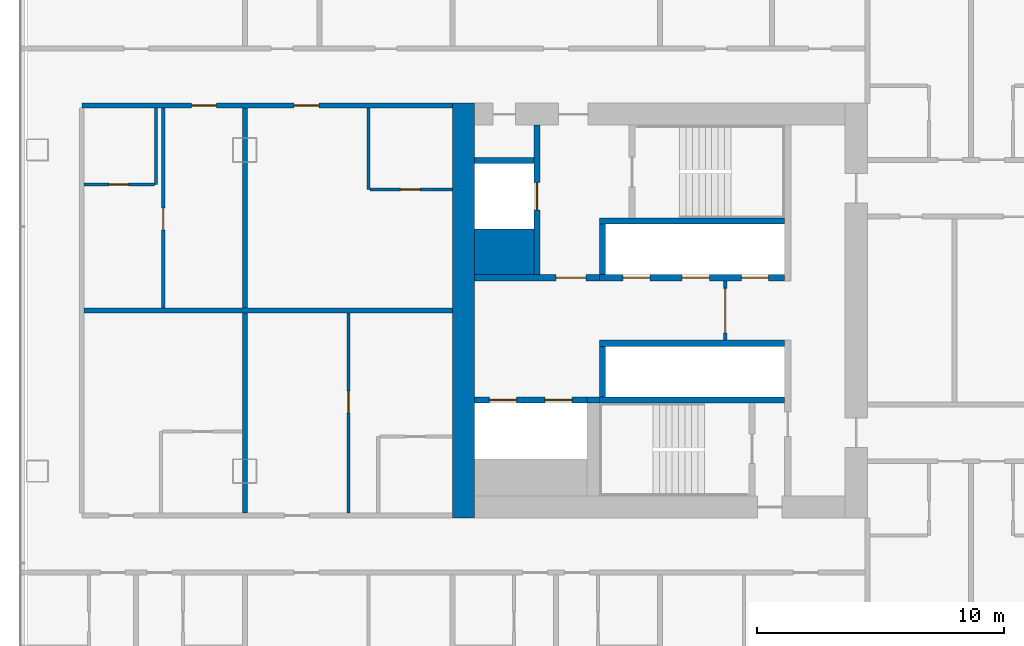
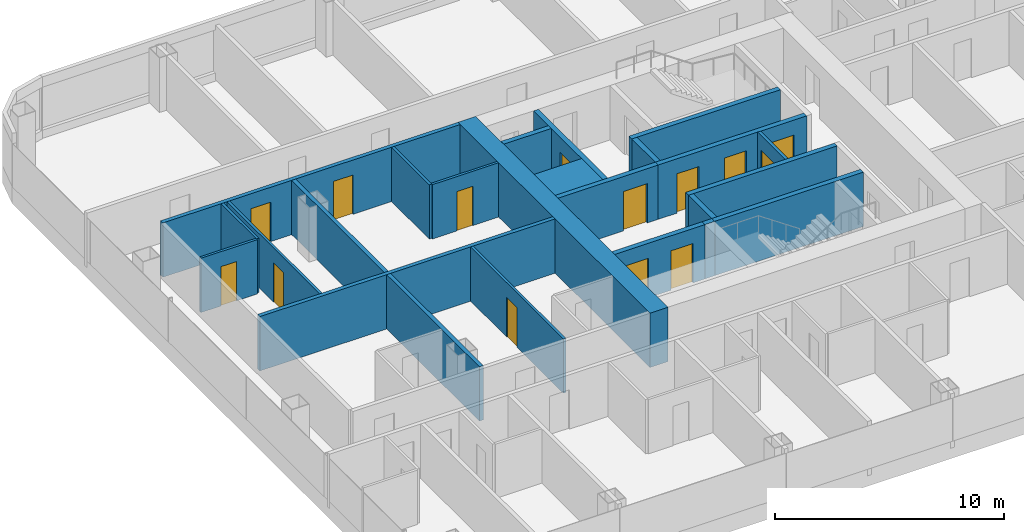
# One storey, part 14 of 29: 23 walls, 14 doors, 14 openings.
"""IFC4 building model written with IfcOpenShell, lengths in metres."""

from ifc_helpers import new_model, si_unit, direction, frame, frame_2d, origin, place, context, subcontext, project, spatial, rectangle, extrude, material, layer, layer_set, type_object, element, fill, save


model = new_model("IFC4")

# Units and contexts
model_context = context("Model", 3, precision=1e-05, world=origin(), true_north=direction((0.0, 1.0)))
body_context = subcontext(model_context, "Body", "Model", "MODEL_VIEW")
ifc_project = project(units=[si_unit("LENGTHUNIT", "METRE"), si_unit("AREAUNIT", "SQUARE_METRE"), si_unit("VOLUMEUNIT", "CUBIC_METRE"), si_unit("PLANEANGLEUNIT", "RADIAN"), si_unit("MASSUNIT", "GRAM", prefix="KILO")], contexts=[model_context])

# Site, building, storey
site_placement = place(None, origin())
site = spatial("IfcSite", under=ifc_project, at=site_placement, CompositionType="ELEMENT")
building_placement = place(site_placement, origin())
building = spatial("IfcBuilding", under=site, at=building_placement, Name="Hakoniwa Tower and Hamabe Station Hall", CompositionType="ELEMENT")
storey_placement = place(building_placement, frame((0.0, 0.0, 61.39990234375)))
storey = spatial("IfcBuildingStorey", under=building, at=storey_placement, Name="L17", CompositionType="ELEMENT", Elevation=61.39990234375)

# Wall, opening, door
ifc_material_1 = material(Name="Gypsum board partition", Category="gypsum")
ifc_layer_1 = layer(ifc_material_1, 0.125)
ifc_layer_set_1 = layer_set([ifc_layer_1], Name="Bathroom Partition 125")
wall_type_1 = type_object("IfcWallType", Name="Bathroom Partition 125", PredefinedType="PARTITIONING", material=ifc_layer_set_1)
wall_1_placement = place(storey_placement, frame((-36.9375, 4.89990234375, 0.0), z_axis=(0.0, 0.0, 1.0), x_axis=(1.0, 0.0, 0.0)))
wall_1 = element("IfcWall", 1, at=wall_1_placement, inside=storey, type_object=wall_type_1, Name="GW-L17-031", PredefinedType="PARTITIONING", context=body_context, shape_type="SweptSolid", body=[
    extrude(rectangle(XDim=3.33740234375, YDim=0.125, at=frame_2d((1.668701171875, 0.0))), origin(), (0.0, 0.0, 1.0), 2.900146484375),
])
opening_1_placement = place(wall_1_placement, frame((1.237548828125, 0.0, 0.0)))
opening_1 = element("IfcOpeningElement", 2, at=opening_1_placement, cuts=wall_1, Name="Opening GD-G1D2-38", PredefinedType="OPENING", context=body_context, shape_type="SweptSolid", body=[
    extrude(rectangle(XDim=0.800048828125, YDim=2.10009765625, at=frame_2d((0.39990234375, 1.050048828125))), frame((0.0, 0.072509765625, 0.0), z_axis=(0.0, -1.0, 0.0), x_axis=(1.0, 0.0, 0.0)), (0.0, 0.0, 1.0), 0.14501953125),
])
ifc_material_2 = material(Name="Timber door leaf", Category="wood")
door_type_1 = type_object("IfcDoorType", Name="Bathroom Door 800", OperationType="SINGLE_SWING_LEFT", PredefinedType="DOOR", material=ifc_material_2)
door_1_placement = place(opening_1_placement, origin())
door_1 = element("IfcDoor", 3, at=door_1_placement, inside=storey, type_object=door_type_1, Name="Door GD-G1D2-38", OperationType="SINGLE_SWING_RIGHT", OverallHeight=2.10009765625, OverallWidth=0.800048828125, PredefinedType="DOOR", context=body_context, shape_type="SweptSolid", body=[
    extrude(rectangle(XDim=0.800048828125, YDim=2.10009765625, at=frame_2d((0.39990234375, 1.050048828125))), frame((0.0, 0.02490234375, 0.0), z_axis=(0.0, -1.0, 0.0), x_axis=(1.0, 0.0, 0.0)), (0.0, 0.0, 1.0), 0.050048828125),
])
fill(opening_1, door_1)

wall_2_placement = place(storey_placement, frame((-48.5, 5.10009765625, 0.0), z_axis=(0.0, 0.0, 1.0), x_axis=(1.0, 0.0, 0.0)))
wall_2 = element("IfcWall", 4, at=wall_2_placement, inside=storey, type_object=wall_type_1, Name="GW-L17-033", PredefinedType="PARTITIONING", context=body_context, shape_type="SweptSolid", body=[
    extrude(rectangle(XDim=2.83740234375, YDim=0.125, at=frame_2d((1.418701171875, 0.0))), origin(), (0.0, 0.0, 1.0), 2.900146484375),
])
opening_2_placement = place(wall_2_placement, frame((1.0, 0.0, 0.0)))
opening_2 = element("IfcOpeningElement", 5, at=opening_2_placement, cuts=wall_2, Name="Opening GD-G1D2-40", PredefinedType="OPENING", context=body_context, shape_type="SweptSolid", body=[
    extrude(rectangle(XDim=0.800048828125, YDim=2.10009765625, at=frame_2d((0.39990234375, 1.050048828125))), frame((0.0, 0.072509765625, 0.0), z_axis=(0.0, -1.0, 0.0), x_axis=(1.0, 0.0, 0.0)), (0.0, 0.0, 1.0), 0.14501953125),
])
door_2_placement = place(opening_2_placement, origin())
door_2 = element("IfcDoor", 6, at=door_2_placement, inside=storey, type_object=door_type_1, Name="Door GD-G1D2-40", OperationType="SINGLE_SWING_RIGHT", OverallHeight=2.10009765625, OverallWidth=0.800048828125, PredefinedType="DOOR", context=body_context, shape_type="SweptSolid", body=[
    extrude(rectangle(XDim=0.800048828125, YDim=2.10009765625, at=frame_2d((0.39990234375, 1.050048828125))), frame((0.0, 0.02490234375, 0.0), z_axis=(0.0, -1.0, 0.0), x_axis=(1.0, 0.0, 0.0)), (0.0, 0.0, 1.0), 0.050048828125),
])
fill(opening_2, door_2)

# Walls
wall_3_placement = place(storey_placement, frame((-45.60009765625, 5.10009765625, 0.0), z_axis=(0.0, 0.0, 1.0), x_axis=(0.0, 1.0, 0.0)))
element("IfcWall", 7, at=wall_3_placement, inside=storey, type_object=wall_type_1, Name="GW-L17-047", PredefinedType="PARTITIONING", context=body_context, shape_type="SweptSolid", body=[
    extrude(rectangle(XDim=3.099853515625, YDim=0.125, at=frame_2d((1.5498046875, 0.0))), origin(), (0.0, 0.0, 1.0), 2.900146484375),
])
wall_4_placement = place(storey_placement, frame((-37.0, 4.89990234375, 0.0), z_axis=(0.0, 0.0, 1.0), x_axis=(0.0, 1.0, 0.0)))
element("IfcWall", 8, at=wall_4_placement, inside=storey, type_object=wall_type_1, Name="GW-L17-057", PredefinedType="PARTITIONING", context=body_context, shape_type="SweptSolid", body=[
    extrude(rectangle(XDim=3.300048828125, YDim=0.125, at=frame_2d((1.64990234375, 0.0))), origin(), (0.0, 0.0, 1.0), 2.900146484375),
])

# Wall, opening, door
ifc_material_3 = material(Name="Gypsum board partition")
ifc_layer_2 = layer(ifc_material_3, 0.14990234375)
ifc_layer_set_2 = layer_set([ifc_layer_2], Name="CORE PARTITION 150 EI 60")
wall_type_2 = type_object("IfcWallType", Name="CORE PARTITION 150 EI 60", PredefinedType="PARTITIONING", material=ifc_layer_set_2)
wall_5_placement = place(storey_placement, frame((-22.550048828125, -1.199951171875, 0.0), z_axis=(0.0, 0.0, 1.0), x_axis=(0.0, 1.0, 0.0)))
wall_5 = element("IfcWall", 9, at=wall_5_placement, inside=storey, type_object=wall_type_2, Name="Core partition PL0 west", PredefinedType="PARTITIONING", context=body_context, shape_type="SweptSolid", body=[
    extrude(rectangle(XDim=2.39990234375, YDim=0.14990234375, at=frame_2d((1.199951171875, 0.0))), origin(), (0.0, 0.0, 1.0), 2.900146484375),
])
opening_3_placement = place(wall_5_placement, frame((0.300048828125, 0.0, 0.0)))
opening_3 = element("IfcOpeningElement", 10, at=opening_3_placement, cuts=wall_5, Name="Opening CD-W-LP0-18", PredefinedType="OPENING", context=body_context, shape_type="SweptSolid", body=[
    extrude(rectangle(XDim=1.800048828125, YDim=2.10009765625, at=frame_2d((0.89990234375, 1.050048828125))), frame((0.0, 0.0849609375, 0.0), z_axis=(0.0, -1.0, 0.0), x_axis=(1.0, 0.0, 0.0)), (0.0, 0.0, 1.0), 0.169921875),
])
ifc_material_4 = material(Name="Steel fire door", Category="steel")
door_type_2 = type_object("IfcDoorType", Name="CORE DOOR 1800 FD60", OperationType="DOUBLE_DOOR_SINGLE_SWING", PredefinedType="DOOR", material=ifc_material_4)
door_3_placement = place(opening_3_placement, origin())
door_3 = element("IfcDoor", 11, at=door_3_placement, inside=storey, type_object=door_type_2, Name="Lift lobby partition door", OperationType="DOUBLE_DOOR_SINGLE_SWING", OverallHeight=2.10009765625, OverallWidth=1.800048828125, PredefinedType="DOOR", context=body_context, shape_type="SweptSolid", body=[
    extrude(rectangle(XDim=1.800048828125, YDim=2.10009765625, at=frame_2d((0.89990234375, 1.050048828125))), frame((0.0, 0.02490234375, 0.0), z_axis=(0.0, -1.0, 0.0), x_axis=(1.0, 0.0, 0.0)), (0.0, 0.0, 1.0), 0.050048828125),
])
fill(opening_3, door_3)

# Walls
ifc_material_5 = material(Name="Concrete C80", Category="concrete")
ifc_layer_3 = layer(ifc_material_5, 0.89990234375)
ifc_layer_set_3 = layer_set([ifc_layer_3], Name="CORE WALL 900 C80")
wall_type_3 = type_object("IfcWallType", Name="CORE WALL 900 C80", PredefinedType="SHEAR", material=ifc_layer_set_3)
wall_6_placement = place(storey_placement, frame((-33.14990234375, -8.39990234375, 0.0), z_axis=(0.0, 0.0, 1.0), x_axis=(0.0, 1.0, 0.0)))
element("IfcWall", 12, at=wall_6_placement, inside=storey, type_object=wall_type_3, Name="Core wall OUTER west", PredefinedType="SHEAR", context=body_context, shape_type="SweptSolid", body=[
    extrude(rectangle(XDim=16.7998046875, YDim=0.89990234375, at=frame_2d((8.39990234375, 0.0))), origin(), (0.0, 0.0, 1.0), 2.900146484375),
])
ifc_material_6 = material(Name="Concrete C80", Category="concrete")
ifc_layer_4 = layer(ifc_material_6, 1.85009765625)
ifc_layer_set_4 = layer_set([ifc_layer_4], Name="CORE WEB WALL 1850 C80")
wall_type_4 = type_object("IfcWallType", Name="CORE WEB WALL 1850 C80", PredefinedType="SHEAR", material=ifc_layer_set_4)
wall_7_placement = place(storey_placement, frame((-32.699951171875, 2.375, 0.0), z_axis=(0.0, 0.0, 1.0), x_axis=(1.0, 0.0, 0.0)))
element("IfcWall", 13, at=wall_7_placement, inside=storey, type_object=wall_type_4, Name="Core wall CA west", PredefinedType="SHEAR", context=body_context, shape_type="SweptSolid", body=[
    extrude(rectangle(XDim=2.39990234375, YDim=1.85009765625, at=frame_2d((1.199951171875, 0.0))), origin(), (0.0, 0.0, 1.0), 2.900146484375),
])

# Wall, openings, doors
ifc_material_7 = material(Name="Concrete C80", Category="concrete")
ifc_layer_5 = layer(ifc_material_7, 0.25)
ifc_layer_set_5 = layer_set([ifc_layer_5], Name="CORE WEB WALL 250 C80")
wall_type_5 = type_object("IfcWallType", Name="CORE WEB WALL 250 C80", PredefinedType="SHEAR", material=ifc_layer_set_5)
wall_8_placement = place(storey_placement, frame((-27.64990234375, 1.324951171875, 0.0), z_axis=(0.0, 0.0, 1.0), x_axis=(1.0, 0.0, 0.0)))
wall_8 = element("IfcWall", 14, at=wall_8_placement, inside=storey, type_object=wall_type_5, Name="Core wall NF west", PredefinedType="SHEAR", context=body_context, shape_type="SweptSolid", body=[
    extrude(rectangle(XDim=7.5, YDim=0.25, at=frame_2d((3.75, 0.0))), origin(), (0.0, 0.0, 1.0), 2.900146484375),
])
opening_4_placement = place(wall_8_placement, frame((5.75, 0.0, 0.0)))
opening_4 = element("IfcOpeningElement", 15, at=opening_4_placement, cuts=wall_8, Name="Opening LD-LR1", PredefinedType="OPENING", context=body_context, shape_type="SweptSolid", body=[
    extrude(rectangle(XDim=1.10009765625, YDim=2.10009765625, at=frame_2d((0.550048828125, 1.050048828125))), frame((0.0, 0.135009765625, 0.0), z_axis=(0.0, -1.0, 0.0), x_axis=(1.0, 0.0, 0.0)), (0.0, 0.0, 1.0), 0.27001953125),
])
opening_5_placement = place(wall_8_placement, frame((3.35009765625, 0.0, 0.0)))
opening_5 = element("IfcOpeningElement", 16, at=opening_5_placement, cuts=wall_8, Name="Opening LD-LR2", PredefinedType="OPENING", context=body_context, shape_type="SweptSolid", body=[
    extrude(rectangle(XDim=1.10009765625, YDim=2.10009765625, at=frame_2d((0.550048828125, 1.050048828125))), frame((0.0, 0.135009765625, 0.0), z_axis=(0.0, -1.0, 0.0), x_axis=(1.0, 0.0, 0.0)), (0.0, 0.0, 1.0), 0.27001953125),
])
opening_6_placement = place(wall_8_placement, frame((0.949951171875, 0.0, 0.0)))
opening_6 = element("IfcOpeningElement", 17, at=opening_6_placement, cuts=wall_8, Name="Opening LD-LR3", PredefinedType="OPENING", context=body_context, shape_type="SweptSolid", body=[
    extrude(rectangle(XDim=1.10009765625, YDim=2.10009765625, at=frame_2d((0.550048828125, 1.050048828125))), frame((0.0, 0.135009765625, 0.0), z_axis=(0.0, -1.0, 0.0), x_axis=(1.0, 0.0, 0.0)), (0.0, 0.0, 1.0), 0.27001953125),
])
ifc_material_8 = material(Name="Stainless steel SUS304", Category="steel")
door_type_3 = type_object("IfcDoorType", Name="LIFT LANDING DOOR 1100 FD60", OperationType="DOUBLE_DOOR_SLIDING", PredefinedType="DOOR", material=ifc_material_8)
door_4_placement = place(opening_4_placement, origin())
door_4 = element("IfcDoor", 18, at=door_4_placement, inside=storey, type_object=door_type_3, Name="Lift landing door LR1 L17", OperationType="DOUBLE_DOOR_SLIDING", OverallHeight=2.10009765625, OverallWidth=1.10009765625, PredefinedType="DOOR", context=body_context, shape_type="SweptSolid", body=[
    extrude(rectangle(XDim=1.10009765625, YDim=2.10009765625, at=frame_2d((0.550048828125, 1.050048828125))), frame((0.0, 0.02490234375, 0.0), z_axis=(0.0, -1.0, 0.0), x_axis=(1.0, 0.0, 0.0)), (0.0, 0.0, 1.0), 0.050048828125),
])
fill(opening_4, door_4)
door_5_placement = place(opening_5_placement, origin())
door_5 = element("IfcDoor", 19, at=door_5_placement, inside=storey, type_object=door_type_3, Name="Lift landing door LR2 L17", OperationType="DOUBLE_DOOR_SLIDING", OverallHeight=2.10009765625, OverallWidth=1.10009765625, PredefinedType="DOOR", context=body_context, shape_type="SweptSolid", body=[
    extrude(rectangle(XDim=1.10009765625, YDim=2.10009765625, at=frame_2d((0.550048828125, 1.050048828125))), frame((0.0, 0.02490234375, 0.0), z_axis=(0.0, -1.0, 0.0), x_axis=(1.0, 0.0, 0.0)), (0.0, 0.0, 1.0), 0.050048828125),
])
fill(opening_5, door_5)
door_6_placement = place(opening_6_placement, origin())
door_6 = element("IfcDoor", 20, at=door_6_placement, inside=storey, type_object=door_type_3, Name="Lift landing door LR3 L17", OperationType="DOUBLE_DOOR_SLIDING", OverallHeight=2.10009765625, OverallWidth=1.10009765625, PredefinedType="DOOR", context=body_context, shape_type="SweptSolid", body=[
    extrude(rectangle(XDim=1.10009765625, YDim=2.10009765625, at=frame_2d((0.550048828125, 1.050048828125))), frame((0.0, 0.02490234375, 0.0), z_axis=(0.0, -1.0, 0.0), x_axis=(1.0, 0.0, 0.0)), (0.0, 0.0, 1.0), 0.050048828125),
])
fill(opening_6, door_6)

# Walls
wall_9_placement = place(storey_placement, frame((-27.52490234375, 1.449951171875, 0.0), z_axis=(0.0, 0.0, 1.0), x_axis=(0.0, 1.0, 0.0)))
element("IfcWall", 21, at=wall_9_placement, inside=storey, type_object=wall_type_5, Name="Core wall NE west", PredefinedType="SHEAR", context=body_context, shape_type="SweptSolid", body=[
    extrude(rectangle(XDim=2.050048828125, YDim=0.25, at=frame_2d((1.02490234375, 0.0))), origin(), (0.0, 0.0, 1.0), 2.900146484375),
])
wall_10_placement = place(storey_placement, frame((-27.64990234375, 3.625, 0.0), z_axis=(0.0, 0.0, 1.0), x_axis=(1.0, 0.0, 0.0)))
element("IfcWall", 22, at=wall_10_placement, inside=storey, type_object=wall_type_5, Name="Core wall NR west", PredefinedType="SHEAR", context=body_context, shape_type="SweptSolid", body=[
    extrude(rectangle(XDim=7.5, YDim=0.25, at=frame_2d((3.75, 0.0))), origin(), (0.0, 0.0, 1.0), 2.900146484375),
])

# Wall, opening, door
wall_11_placement = place(storey_placement, frame((-32.699951171875, 1.324951171875, 0.0), z_axis=(0.0, 0.0, 1.0), x_axis=(1.0, 0.0, 0.0)))
wall_11 = element("IfcWall", 23, at=wall_11_placement, inside=storey, type_object=wall_type_5, Name="Core wall ELN west", PredefinedType="SHEAR", context=body_context, shape_type="SweptSolid", body=[
    extrude(rectangle(XDim=5.050048828125, YDim=0.25, at=frame_2d((2.52490234375, 0.0))), origin(), (0.0, 0.0, 1.0), 2.900146484375),
])
opening_7_placement = place(wall_11_placement, frame((3.300048828125, 0.0, 0.0)))
opening_7 = element("IfcOpeningElement", 24, at=opening_7_placement, cuts=wall_11, Name="Opening CD-W-FL-12", PredefinedType="OPENING", context=body_context, shape_type="SweptSolid", body=[
    extrude(rectangle(XDim=1.199951171875, YDim=2.10009765625, at=frame_2d((0.60009765625, 1.050048828125))), frame((0.0, 0.135009765625, 0.0), z_axis=(0.0, -1.0, 0.0), x_axis=(1.0, 0.0, 0.0)), (0.0, 0.0, 1.0), 0.27001953125),
])
ifc_material_9 = material(Name="Steel fire door", Category="steel")
door_type_4 = type_object("IfcDoorType", Name="CORE DOOR 1200 FD60", OperationType="DOUBLE_DOOR_SINGLE_SWING", PredefinedType="DOOR", material=ifc_material_9)
door_7_placement = place(opening_7_placement, origin())
door_7 = element("IfcDoor", 25, at=door_7_placement, inside=storey, type_object=door_type_4, Name="Stair vestibule door to the fire-fighting lobby", OperationType="DOUBLE_DOOR_SINGLE_SWING", OverallHeight=2.10009765625, OverallWidth=1.199951171875, PredefinedType="DOOR", context=body_context, shape_type="SweptSolid", body=[
    extrude(rectangle(XDim=1.199951171875, YDim=2.10009765625, at=frame_2d((0.60009765625, 1.050048828125))), frame((0.0, 0.02490234375, 0.0), z_axis=(0.0, -1.0, 0.0), x_axis=(1.0, 0.0, 0.0)), (0.0, 0.0, 1.0), 0.050048828125),
])
fill(opening_7, door_7)

wall_12_placement = place(storey_placement, frame((-30.175048828125, 1.449951171875, 0.0), z_axis=(0.0, 0.0, 1.0), x_axis=(0.0, 1.0, 0.0)))
wall_12 = element("IfcWall", 26, at=wall_12_placement, inside=storey, type_object=wall_type_5, Name="Core wall FFF west", PredefinedType="SHEAR", context=body_context, shape_type="SweptSolid", body=[
    extrude(rectangle(XDim=6.050048828125, YDim=0.25, at=frame_2d((3.02490234375, 0.0))), origin(), (0.0, 0.0, 1.0), 2.900146484375),
])
opening_8_placement = place(wall_12_placement, frame((2.625, 0.0, 0.0)))
opening_8 = element("IfcOpeningElement", 27, at=opening_8_placement, cuts=wall_12, Name="Opening LD-FF1", PredefinedType="OPENING", context=body_context, shape_type="SweptSolid", body=[
    extrude(rectangle(XDim=1.10009765625, YDim=2.10009765625, at=frame_2d((0.550048828125, 1.050048828125))), frame((0.0, 0.135009765625, 0.0), z_axis=(0.0, -1.0, 0.0), x_axis=(1.0, 0.0, 0.0)), (0.0, 0.0, 1.0), 0.27001953125),
])
door_8_placement = place(opening_8_placement, origin())
door_8 = element("IfcDoor", 28, at=door_8_placement, inside=storey, type_object=door_type_3, Name="Lift landing door FF1 L17", OperationType="DOUBLE_DOOR_SLIDING", OverallHeight=2.10009765625, OverallWidth=1.10009765625, PredefinedType="DOOR", context=body_context, shape_type="SweptSolid", body=[
    extrude(rectangle(XDim=1.10009765625, YDim=2.10009765625, at=frame_2d((0.550048828125, 1.050048828125))), frame((0.0, 0.02490234375, 0.0), z_axis=(0.0, -1.0, 0.0), x_axis=(1.0, 0.0, 0.0)), (0.0, 0.0, 1.0), 0.050048828125),
])
fill(opening_8, door_8)

# Walls
wall_13_placement = place(storey_placement, frame((-32.699951171875, 6.074951171875, 0.0), z_axis=(0.0, 0.0, 1.0), x_axis=(1.0, 0.0, 0.0)))
element("IfcWall", 29, at=wall_13_placement, inside=storey, type_object=wall_type_5, Name="Core wall C2 west", PredefinedType="SHEAR", context=body_context, shape_type="SweptSolid", body=[
    extrude(rectangle(XDim=2.39990234375, YDim=0.25, at=frame_2d((1.199951171875, 0.0))), origin(), (0.0, 0.0, 1.0), 2.900146484375),
])
wall_14_placement = place(storey_placement, frame((-27.64990234375, -1.324951171875, 0.0), z_axis=(0.0, 0.0, 1.0), x_axis=(1.0, 0.0, 0.0)))
element("IfcWall", 30, at=wall_14_placement, inside=storey, type_object=wall_type_5, Name="Core wall SF west", PredefinedType="SHEAR", context=body_context, shape_type="SweptSolid", body=[
    extrude(rectangle(XDim=7.5, YDim=0.25, at=frame_2d((3.75, 0.0))), origin(), (0.0, 0.0, 1.0), 2.900146484375),
])
wall_15_placement = place(storey_placement, frame((-27.52490234375, -3.5, 0.0), z_axis=(0.0, 0.0, 1.0), x_axis=(0.0, 1.0, 0.0)))
element("IfcWall", 31, at=wall_15_placement, inside=storey, type_object=wall_type_5, Name="Core wall SE west", PredefinedType="SHEAR", context=body_context, shape_type="SweptSolid", body=[
    extrude(rectangle(XDim=2.050048828125, YDim=0.25, at=frame_2d((1.02490234375, 0.0))), origin(), (0.0, 0.0, 1.0), 2.900146484375),
])
wall_16_placement = place(storey_placement, frame((-27.64990234375, -3.625, 0.0), z_axis=(0.0, 0.0, 1.0), x_axis=(1.0, 0.0, 0.0)))
element("IfcWall", 32, at=wall_16_placement, inside=storey, type_object=wall_type_5, Name="Core wall SR west", PredefinedType="SHEAR", context=body_context, shape_type="SweptSolid", body=[
    extrude(rectangle(XDim=7.5, YDim=0.25, at=frame_2d((3.75, 0.0))), origin(), (0.0, 0.0, 1.0), 2.900146484375),
])

# Wall, openings, doors
wall_17_placement = place(storey_placement, frame((-32.699951171875, -3.625, 0.0), z_axis=(0.0, 0.0, 1.0), x_axis=(1.0, 0.0, 0.0)))
wall_17 = element("IfcWall", 33, at=wall_17_placement, inside=storey, type_object=wall_type_5, Name="Core wall SEF west", PredefinedType="SHEAR", context=body_context, shape_type="SweptSolid", body=[
    extrude(rectangle(XDim=4.550048828125, YDim=0.25, at=frame_2d((2.27490234375, 0.0))), origin(), (0.0, 0.0, 1.0), 2.900146484375),
])
opening_9_placement = place(wall_17_placement, frame((2.85009765625, 0.0, 0.0)))
opening_9 = element("IfcOpeningElement", 34, at=opening_9_placement, cuts=wall_17, Name="Opening LD-SV1", PredefinedType="OPENING", context=body_context, shape_type="SweptSolid", body=[
    extrude(rectangle(XDim=1.10009765625, YDim=2.10009765625, at=frame_2d((0.550048828125, 1.050048828125))), frame((0.0, 0.135009765625, 0.0), z_axis=(0.0, -1.0, 0.0), x_axis=(1.0, 0.0, 0.0)), (0.0, 0.0, 1.0), 0.27001953125),
])
opening_10_placement = place(wall_17_placement, frame((0.60009765625, 0.0, 0.0)))
opening_10 = element("IfcOpeningElement", 35, at=opening_10_placement, cuts=wall_17, Name="Opening LD-SV2", PredefinedType="OPENING", context=body_context, shape_type="SweptSolid", body=[
    extrude(rectangle(XDim=1.10009765625, YDim=2.10009765625, at=frame_2d((0.550048828125, 1.050048828125))), frame((0.0, 0.135009765625, 0.0), z_axis=(0.0, -1.0, 0.0), x_axis=(1.0, 0.0, 0.0)), (0.0, 0.0, 1.0), 0.27001953125),
])
door_9_placement = place(opening_9_placement, origin())
door_9 = element("IfcDoor", 36, at=door_9_placement, inside=storey, type_object=door_type_3, Name="Lift landing door SV1 L17", OperationType="DOUBLE_DOOR_SLIDING", OverallHeight=2.10009765625, OverallWidth=1.10009765625, PredefinedType="DOOR", context=body_context, shape_type="SweptSolid", body=[
    extrude(rectangle(XDim=1.10009765625, YDim=2.10009765625, at=frame_2d((0.550048828125, 1.050048828125))), frame((0.0, 0.02490234375, 0.0), z_axis=(0.0, -1.0, 0.0), x_axis=(1.0, 0.0, 0.0)), (0.0, 0.0, 1.0), 0.050048828125),
])
fill(opening_9, door_9)
door_10_placement = place(opening_10_placement, origin())
door_10 = element("IfcDoor", 37, at=door_10_placement, inside=storey, type_object=door_type_3, Name="Lift landing door SV2 L17", OperationType="DOUBLE_DOOR_SLIDING", OverallHeight=2.10009765625, OverallWidth=1.10009765625, PredefinedType="DOOR", context=body_context, shape_type="SweptSolid", body=[
    extrude(rectangle(XDim=1.10009765625, YDim=2.10009765625, at=frame_2d((0.550048828125, 1.050048828125))), frame((0.0, 0.02490234375, 0.0), z_axis=(0.0, -1.0, 0.0), x_axis=(1.0, 0.0, 0.0)), (0.0, 0.0, 1.0), 0.050048828125),
])
fill(opening_10, door_10)

# Wall
wall_18_placement = place(storey_placement, frame((-28.14990234375, -3.625, 0.0), z_axis=(0.0, 0.0, 1.0), x_axis=(1.0, 0.0, 0.0)))
element("IfcWall", 38, at=wall_18_placement, inside=storey, type_object=wall_type_5, Name="Core wall SRK west", PredefinedType="SHEAR", context=body_context, shape_type="SweptSolid", body=[
    extrude(rectangle(XDim=0.5, YDim=0.25, at=frame_2d((0.25, 0.0))), origin(), (0.0, 0.0, 1.0), 2.900146484375),
])

# Wall, openings, doors
ifc_material_10 = material(Name="Fire-rated gypsum board partition", Category="gypsum")
ifc_layer_6 = layer(ifc_material_10, 0.199951171875)
ifc_layer_set_6 = layer_set([ifc_layer_6], Name="Corridor Wall 200")
wall_type_6 = type_object("IfcWallType", Name="Corridor Wall 200", PredefinedType="PARTITIONING", material=ifc_layer_set_6)
wall_19_placement = place(storey_placement, frame((-48.60009765625, 8.300048828125, 0.0), z_axis=(0.0, 0.0, 1.0), x_axis=(1.0, 0.0, 0.0)))
wall_19 = element("IfcWall", 39, at=wall_19_placement, inside=storey, type_object=wall_type_6, Name="GW-L17-036", PredefinedType="PARTITIONING", context=body_context, shape_type="SweptSolid", body=[
    extrude(rectangle(XDim=15.0, YDim=0.199951171875, at=frame_2d((7.5, 0.0))), origin(), (0.0, 0.0, 1.0), 2.900146484375),
])
opening_11_placement = place(wall_19_placement, frame((4.449951171875, 0.0, 0.0)))
opening_11 = element("IfcOpeningElement", 40, at=opening_11_placement, cuts=wall_19, Name="Opening GD-G1D2-47", PredefinedType="OPENING", context=body_context, shape_type="SweptSolid", body=[
    extrude(rectangle(XDim=1.0, YDim=2.10009765625, at=frame_2d((0.5, 1.050048828125))), frame((0.0, 0.10986328125, 0.0), z_axis=(0.0, -1.0, 0.0), x_axis=(1.0, 0.0, 0.0)), (0.0, 0.0, 1.0), 0.219970703125),
])
opening_12_placement = place(wall_19_placement, frame((8.60009765625, 0.0, 0.0)))
opening_12 = element("IfcOpeningElement", 41, at=opening_12_placement, cuts=wall_19, Name="Opening GD-G1D2-48", PredefinedType="OPENING", context=body_context, shape_type="SweptSolid", body=[
    extrude(rectangle(XDim=1.0, YDim=2.10009765625, at=frame_2d((0.5, 1.050048828125))), frame((0.0, 0.10986328125, 0.0), z_axis=(0.0, -1.0, 0.0), x_axis=(1.0, 0.0, 0.0)), (0.0, 0.0, 1.0), 0.219970703125),
])
ifc_material_11 = material(Name="Timber door leaf", Category="wood")
door_type_5 = type_object("IfcDoorType", Name="Guest Entrance Door 1000", OperationType="SINGLE_SWING_LEFT", PredefinedType="DOOR", material=ifc_material_11)
door_11_placement = place(opening_11_placement, origin())
door_11 = element("IfcDoor", 42, at=door_11_placement, inside=storey, type_object=door_type_5, Name="Door GD-G1D2-47", OperationType="SINGLE_SWING_LEFT", OverallHeight=2.10009765625, OverallWidth=1.0, PredefinedType="DOOR", context=body_context, shape_type="SweptSolid", body=[
    extrude(rectangle(XDim=1.0, YDim=2.10009765625, at=frame_2d((0.5, 1.050048828125))), frame((0.0, 0.02490234375, 0.0), z_axis=(0.0, -1.0, 0.0), x_axis=(1.0, 0.0, 0.0)), (0.0, 0.0, 1.0), 0.050048828125),
])
fill(opening_11, door_11)
door_12_placement = place(opening_12_placement, origin())
door_12 = element("IfcDoor", 43, at=door_12_placement, inside=storey, type_object=door_type_5, Name="Door GD-G1D2-48", OperationType="SINGLE_SWING_LEFT", OverallHeight=2.10009765625, OverallWidth=1.0, PredefinedType="DOOR", context=body_context, shape_type="SweptSolid", body=[
    extrude(rectangle(XDim=1.0, YDim=2.10009765625, at=frame_2d((0.5, 1.050048828125))), frame((0.0, 0.02490234375, 0.0), z_axis=(0.0, -1.0, 0.0), x_axis=(1.0, 0.0, 0.0)), (0.0, 0.0, 1.0), 0.050048828125),
])
fill(opening_12, door_12)

# Walls
ifc_material_12 = material(Name="Fire-rated gypsum board partition", Category="gypsum")
ifc_layer_7 = layer(ifc_material_12, 0.199951171875)
ifc_layer_set_7 = layer_set([ifc_layer_7], Name="Party Wall 200")
wall_type_7 = type_object("IfcWallType", Name="Party Wall 200", PredefinedType="PARTITIONING", material=ifc_layer_set_7)
wall_20_placement = place(storey_placement, frame((-48.5, 0.0, 0.0), z_axis=(0.0, 0.0, 1.0), x_axis=(1.0, 0.0, 0.0)))
element("IfcWall", 44, at=wall_20_placement, inside=storey, type_object=wall_type_7, Name="GW-L17-028", PredefinedType="PARTITIONING", context=body_context, shape_type="SweptSolid", body=[
    extrude(rectangle(XDim=14.89990234375, YDim=0.199951171875, at=frame_2d((7.449951171875, 0.0))), origin(), (0.0, 0.0, 1.0), 2.900146484375),
])
wall_21_placement = place(storey_placement, frame((-42.0, -8.199951171875, 0.0), z_axis=(0.0, 0.0, 1.0), x_axis=(0.0, 1.0, 0.0)))
element("IfcWall", 45, at=wall_21_placement, inside=storey, type_object=wall_type_7, Name="GW-L17-052", PredefinedType="PARTITIONING", context=body_context, shape_type="SweptSolid", body=[
    extrude(rectangle(XDim=16.39990234375, YDim=0.199951171875, at=frame_2d((8.199951171875, 0.0))), origin(), (0.0, 0.0, 1.0), 2.900146484375),
])

# Wall, opening, door
ifc_material_13 = material(Name="Gypsum board partition", Category="gypsum")
ifc_layer_8 = layer(ifc_material_13, 0.125)
ifc_layer_set_8 = layer_set([ifc_layer_8], Name="Room Partition 125")
wall_type_8 = type_object("IfcWallType", Name="Room Partition 125", PredefinedType="PARTITIONING", material=ifc_layer_set_8)
wall_22_placement = place(storey_placement, frame((-45.300048828125, 0.10009765625, 0.0), z_axis=(0.0, 0.0, 1.0), x_axis=(0.0, 1.0, 0.0)))
wall_22 = element("IfcWall", 46, at=wall_22_placement, inside=storey, type_object=wall_type_8, Name="GW-L17-049", PredefinedType="PARTITIONING", context=body_context, shape_type="SweptSolid", body=[
    extrude(rectangle(XDim=8.099853515625, YDim=0.125, at=frame_2d((4.0498046875, 0.0))), origin(), (0.0, 0.0, 1.0), 2.900146484375),
])
opening_13_placement = place(wall_22_placement, frame((3.14990234375, 0.0, 0.0)))
opening_13 = element("IfcOpeningElement", 47, at=opening_13_placement, cuts=wall_22, Name="Opening GD-G1D2-64", PredefinedType="OPENING", context=body_context, shape_type="SweptSolid", body=[
    extrude(rectangle(XDim=0.89990234375, YDim=2.10009765625, at=frame_2d((0.449951171875, 1.050048828125))), frame((0.0, 0.072509765625, 0.0), z_axis=(0.0, -1.0, 0.0), x_axis=(1.0, 0.0, 0.0)), (0.0, 0.0, 1.0), 0.14501953125),
])
ifc_material_14 = material(Name="Timber door leaf", Category="wood")
door_type_6 = type_object("IfcDoorType", Name="Suite Interior Door 900", OperationType="SINGLE_SWING_LEFT", PredefinedType="DOOR", material=ifc_material_14)
door_13_placement = place(opening_13_placement, origin())
door_13 = element("IfcDoor", 48, at=door_13_placement, inside=storey, type_object=door_type_6, Name="Door GD-G1D2-64", OperationType="SINGLE_SWING_LEFT", OverallHeight=2.10009765625, OverallWidth=0.89990234375, PredefinedType="DOOR", context=body_context, shape_type="SweptSolid", body=[
    extrude(rectangle(XDim=0.89990234375, YDim=2.10009765625, at=frame_2d((0.449951171875, 1.050048828125))), frame((0.0, 0.02490234375, 0.0), z_axis=(0.0, -1.0, 0.0), x_axis=(1.0, 0.0, 0.0)), (0.0, 0.0, 1.0), 0.050048828125),
])
fill(opening_13, door_13)

wall_23_placement = place(storey_placement, frame((-37.800048828125, -8.199951171875, 0.0), z_axis=(0.0, 0.0, 1.0), x_axis=(0.0, 1.0, 0.0)))
wall_23 = element("IfcWall", 49, at=wall_23_placement, inside=storey, type_object=wall_type_8, Name="GW-L17-055", PredefinedType="PARTITIONING", context=body_context, shape_type="SweptSolid", body=[
    extrude(rectangle(XDim=8.099853515625, YDim=0.125, at=frame_2d((4.0498046875, 0.0))), origin(), (0.0, 0.0, 1.0), 2.900146484375),
])
opening_14_placement = place(wall_23_placement, frame((4.050048828125, 0.0, 0.0)))
opening_14 = element("IfcOpeningElement", 50, at=opening_14_placement, cuts=wall_23, Name="Opening GD-G1D2-66", PredefinedType="OPENING", context=body_context, shape_type="SweptSolid", body=[
    extrude(rectangle(XDim=0.89990234375, YDim=2.10009765625, at=frame_2d((0.449951171875, 1.050048828125))), frame((0.0, 0.072509765625, 0.0), z_axis=(0.0, -1.0, 0.0), x_axis=(1.0, 0.0, 0.0)), (0.0, 0.0, 1.0), 0.14501953125),
])
door_14_placement = place(opening_14_placement, origin())
door_14 = element("IfcDoor", 51, at=door_14_placement, inside=storey, type_object=door_type_6, Name="Door GD-G1D2-66", OperationType="SINGLE_SWING_LEFT", OverallHeight=2.10009765625, OverallWidth=0.89990234375, PredefinedType="DOOR", context=body_context, shape_type="SweptSolid", body=[
    extrude(rectangle(XDim=0.89990234375, YDim=2.10009765625, at=frame_2d((0.449951171875, 1.050048828125))), frame((0.0, 0.02490234375, 0.0), z_axis=(0.0, -1.0, 0.0), x_axis=(1.0, 0.0, 0.0)), (0.0, 0.0, 1.0), 0.050048828125),
])
fill(opening_14, door_14)

save(model, "model.ifc")
